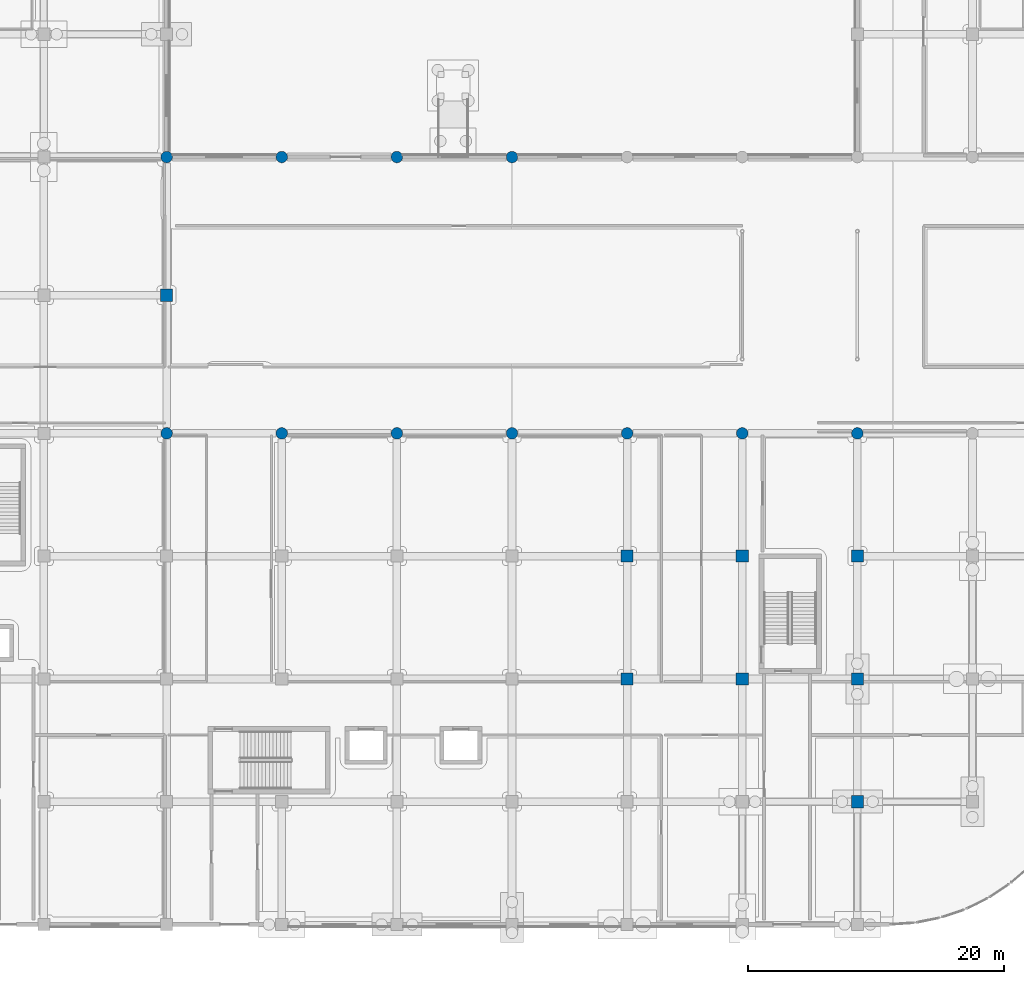
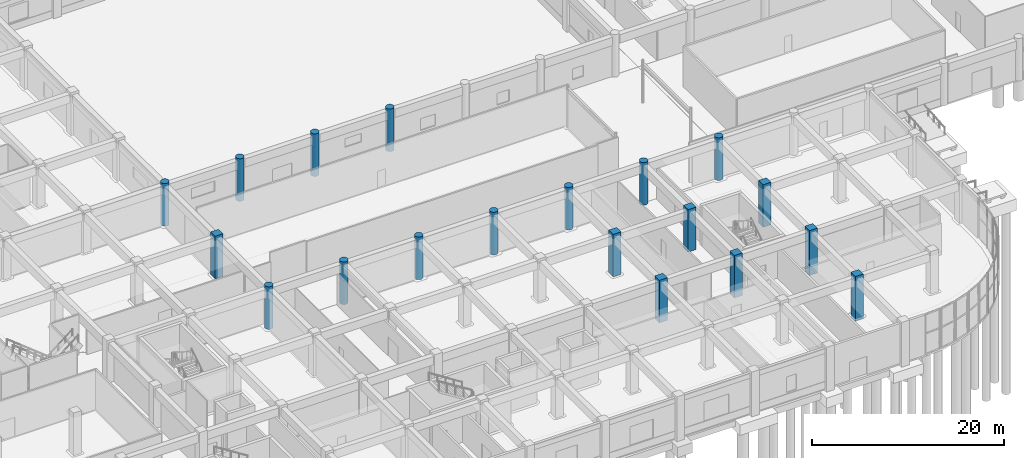
# One storey, part 6 of 74: 19 columns.
"""IFC4 building model written with IfcOpenShell, lengths in metres."""

from ifc_helpers import new_model, si_unit, direction, frame, origin, origin_2d, place, context, subcontext, project, spatial, rectangle, circle, extrude, material, material_profile, profile_set, type_object, element, save


model = new_model("IFC4")

# Units and contexts
model_context = context("Model", 3, precision=1e-05, world=origin(), true_north=direction((0.0, 1.0)))
body_context = subcontext(model_context, "Body", "Model", "MODEL_VIEW")
ifc_project = project(units=[si_unit("LENGTHUNIT", "METRE"), si_unit("AREAUNIT", "SQUARE_METRE"), si_unit("VOLUMEUNIT", "CUBIC_METRE"), si_unit("PLANEANGLEUNIT", "RADIAN"), si_unit("MASSUNIT", "GRAM", prefix="KILO")], contexts=[model_context])

# Site, building, storey
site_placement = place(None, origin())
site = spatial("IfcSite", under=ifc_project, at=site_placement, CompositionType="ELEMENT")
building_placement = place(site_placement, origin())
building = spatial("IfcBuilding", under=site, at=building_placement, Name="Cendralis Terraced Arcade", CompositionType="ELEMENT")
storey_placement = place(building_placement, origin())
storey = spatial("IfcBuildingStorey", under=building, at=storey_placement, Name="L00", CompositionType="ELEMENT", Elevation=0.0)

# Columns
ifc_material = material(Name="Concrete f'c 42 MPa", Category="concrete")
ifc_material_profile_1 = material_profile(ifc_material, rectangle(XDim=0.949951171875, YDim=0.949951171875, at=origin_2d()), Name="RC-COL-950x950", Category="LoadBearing")
ifc_profile_set_1 = profile_set([ifc_material_profile_1], Name="Concrete f'c 42 MPa")
column_type_1 = type_object("IfcColumnType", Name="COL-950", PredefinedType="COLUMN", material=ifc_profile_set_1)
for number, where, z_axis, x_axis, name in (
    (1, (103.199951171875, 19.199951171875, 0.0), (0.0, 0.0, 1.0), (1.0, 0.0, 0.0), "Reinforced Concrete Column 12-C (L00)"),
    (2, (103.199951171875, 28.800048828125, 0.0), (0.0, 0.0, 1.0), (1.0, 0.0, 0.0), "Reinforced Concrete Column 12-D (L00)"),
    (3, (112.199951171875, 19.199951171875, 0.0), (0.0, 0.0, 1.0), (1.0, 0.0, 0.0), "Reinforced Concrete Column 13-C (L00)"),
    (4, (112.199951171875, 28.800048828125, 0.0), (0.0, 0.0, 1.0), (1.0, 0.0, 0.0), "Reinforced Concrete Column 13-D (L00)"),
):
    element("IfcColumn", number, at=place(storey_placement, frame(where, z_axis=z_axis, x_axis=x_axis)), inside=storey, type_object=column_type_1, Name=name, PredefinedType="COLUMN", context=body_context, shape_type="SweptSolid", body=[
        extrude(rectangle(XDim=0.949951171875, YDim=0.949951171875, at=origin_2d()), origin(), (0.0, 0.0, 1.0), 5.39990234375),
    ])
for number, where, z_axis, x_axis, name in (
    (5, (121.199951171875, 9.60009765625, -0.300048828125), (0.0, 0.0, 1.0), (1.0, 0.0, 0.0), "Reinforced Concrete Column 14-B (L00)"),
    (6, (121.199951171875, 19.199951171875, -0.300048828125), (0.0, 0.0, 1.0), (1.0, 0.0, 0.0), "Reinforced Concrete Column 14-C (L00)"),
):
    element("IfcColumn", number, at=place(storey_placement, frame(where, z_axis=z_axis, x_axis=x_axis)), inside=storey, type_object=column_type_1, Name=name, PredefinedType="COLUMN", context=body_context, shape_type="SweptSolid", body=[
        extrude(rectangle(XDim=0.949951171875, YDim=0.949951171875, at=origin_2d()), origin(), (0.0, 0.0, 1.0), 5.699951171875),
    ])
for number, where, z_axis, x_axis, name in (
    (7, (121.199951171875, 28.800048828125, 0.0), (0.0, 0.0, 1.0), (1.0, 0.0, 0.0), "Reinforced Concrete Column 14-D (L00)"),
    (8, (67.199951171875, 49.199951171875, 0.0), (0.0, 0.0, 1.0), (1.0, 0.0, 0.0), "Reinforced Concrete Column 8-F (L00)"),
):
    element("IfcColumn", number, at=place(storey_placement, frame(where, z_axis=z_axis, x_axis=x_axis)), inside=storey, type_object=column_type_1, Name=name, PredefinedType="COLUMN", context=body_context, shape_type="SweptSolid", body=[
        extrude(rectangle(XDim=0.949951171875, YDim=0.949951171875, at=origin_2d()), origin(), (0.0, 0.0, 1.0), 5.39990234375),
    ])
ifc_material_profile_2 = material_profile(ifc_material, circle(Radius=0.449951171875, at=origin_2d()), Name="RC-COL-D900", Category="LoadBearing")
ifc_profile_set_2 = profile_set([ifc_material_profile_2], Name="Concrete f'c 42 MPa")
column_type_2 = type_object("IfcColumnType", Name="COL-D900", PredefinedType="COLUMN", material=ifc_profile_set_2)
for number, where, z_axis, x_axis, name in (
    (9, (85.199951171875, 38.39990234375, 0.0), (0.0, 0.0, 1.0), (1.0, 0.0, 0.0), "Reinforced Concrete Column 10-E (L00)"),
    (10, (85.199951171875, 60.0, 0.0), (0.0, 0.0, 1.0), (1.0, 0.0, 0.0), "Reinforced Concrete Column 10-G (L00)"),
    (11, (94.199951171875, 38.39990234375, 0.0), (0.0, 0.0, 1.0), (1.0, 0.0, 0.0), "Reinforced Concrete Column 11-E (L00)"),
    (12, (94.199951171875, 60.0, 0.0), (0.0, 0.0, 1.0), (1.0, 0.0, 0.0), "Reinforced Concrete Column 11-G (L00)"),
    (13, (103.199951171875, 38.39990234375, 0.0), (0.0, 0.0, 1.0), (1.0, 0.0, 0.0), "Reinforced Concrete Column 12-E (L00)"),
    (14, (112.199951171875, 38.39990234375, 0.0), (0.0, 0.0, 1.0), (1.0, 0.0, 0.0), "Reinforced Concrete Column 13-E (L00)"),
    (15, (121.199951171875, 38.39990234375, 0.0), (0.0, 0.0, 1.0), (1.0, 0.0, 0.0), "Reinforced Concrete Column 14-E (L00)"),
    (16, (67.199951171875, 38.39990234375, 0.0), (0.0, 0.0, 1.0), (1.0, 0.0, 0.0), "Reinforced Concrete Column 8-E (L00)"),
    (17, (67.199951171875, 60.0, 0.0), (0.0, 0.0, 1.0), (1.0, 0.0, 0.0), "Reinforced Concrete Column 8-G (L00)"),
    (18, (76.199951171875, 38.39990234375, 0.0), (0.0, 0.0, 1.0), (1.0, 0.0, 0.0), "Reinforced Concrete Column 9-E (L00)"),
    (19, (76.199951171875, 60.0, 0.0), (0.0, 0.0, 1.0), (1.0, 0.0, 0.0), "Reinforced Concrete Column 9-G (L00)"),
):
    element("IfcColumn", number, at=place(storey_placement, frame(where, z_axis=z_axis, x_axis=x_axis)), inside=storey, type_object=column_type_2, Name=name, PredefinedType="COLUMN", context=body_context, shape_type="SweptSolid", body=[
        extrude(circle(Radius=0.449951171875, at=origin_2d()), origin(), (0.0, 0.0, 1.0), 5.39990234375),
    ])

save(model, "model.ifc")
